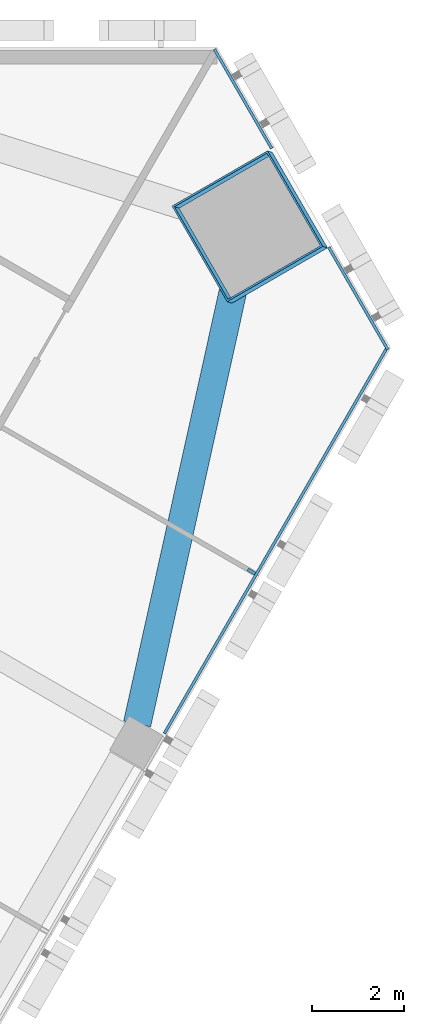
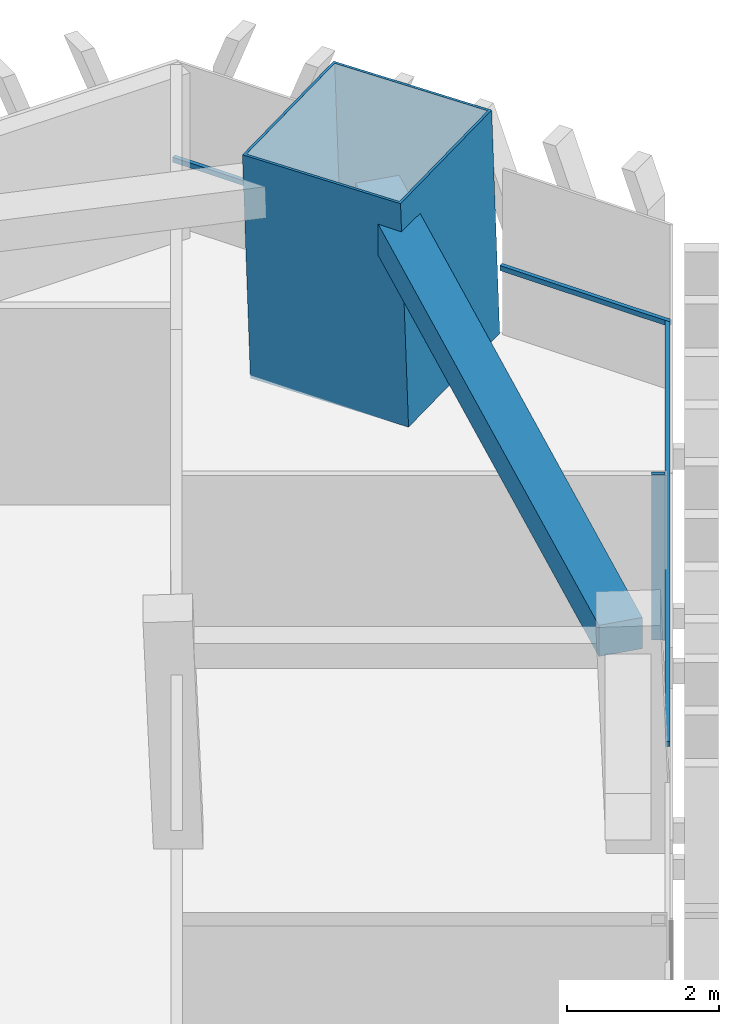
# One storey, part 7 of 15: 5 members, 1 beam, 2 elements without a shape of their own.
"""IFC4 building model written with IfcOpenShell, lengths in metres."""

from ifc_helpers import new_model, si_unit, direction, frame, origin, origin_2d, place, context, subcontext, project, spatial, rectangle, hollow_rectangle, extrude, material, layer, layer_set, material_profile, profile_set, type_object, element, aggregate, save


model = new_model("IFC4")

# Units and contexts
model_context = context("Model", 3, precision=1e-05, world=origin(), true_north=direction((0.0, 1.0)))
body_context = subcontext(model_context, "Body", "Model", "MODEL_VIEW")
ifc_project = project(units=[si_unit("LENGTHUNIT", "METRE"), si_unit("AREAUNIT", "SQUARE_METRE"), si_unit("VOLUMEUNIT", "CUBIC_METRE"), si_unit("PLANEANGLEUNIT", "RADIAN"), si_unit("MASSUNIT", "GRAM", prefix="KILO")], contexts=[model_context])

# Site, building, storey
site_placement = place(None, origin())
site = spatial("IfcSite", under=ifc_project, at=site_placement, CompositionType="ELEMENT")
building_placement = place(site_placement, origin())
building = spatial("IfcBuilding", under=site, at=building_placement, Name="Altiplano Prism Tower", CompositionType="ELEMENT")
storey_placement = place(building_placement, frame((0.0, 0.0, 142.199951171875)))
storey = spatial("IfcBuildingStorey", under=building, at=storey_placement, Name="L36", CompositionType="ELEMENT", Elevation=142.199951171875)

# Curtain wall, members
ifc_material_1 = material(Name="Aluminium and glass", Category="aluminium")
ifc_layer = layer(ifc_material_1, 0.280029296875)
ifc_layer_set = layer_set([ifc_layer], Name="Aluminium and glass")
curtain_wall_type = type_object("IfcCurtainWallType", Name="CW1 typical co-living unitised curtain wall", PredefinedType="NOTDEFINED", material=ifc_layer_set)
curtain_wall_1_placement = place(storey_placement, origin())
curtain_wall_1 = element("IfcCurtainWall", 1, at=curtain_wall_1_placement, inside=storey, type_object=curtain_wall_type, Name="CW1 curtain wall south-east face L36", PredefinedType="NOTDEFINED")
ifc_material_2 = material(Name="Aluminium", Category="aluminium")
ifc_material_profile_1 = material_profile(ifc_material_2, rectangle(XDim=0.179931640625, YDim=0.06494140625, at=origin_2d()), Name="CW1 mullion 65 x 180")
ifc_profile_set_1 = profile_set([ifc_material_profile_1], Name="Aluminium")
member_type_1 = type_object("IfcMemberType", Name="CW1 mullion 65 x 180", PredefinedType="MULLION", material=ifc_profile_set_1)
member_1_placement = place(storey_placement, frame((109.46240234375, 93.616943359375, 0.0), z_axis=(0.0, 0.0, 1.0), x_axis=(-0.866025403278, 0.500000000877, 0.0)))
member_1 = element("IfcMember", 2, at=member_1_placement, type_object=member_type_1, Name="CW1 mullion", PredefinedType="MULLION", context=body_context, shape_type="SweptSolid", body=[
    extrude(rectangle(XDim=0.179931640625, YDim=0.06494140625, at=origin_2d()), origin(), (0.0, 0.0, 1.0), 2.650146484375),
])
ifc_material_profile_2 = material_profile(ifc_material_2, rectangle(XDim=0.06005859375, YDim=0.080078125, at=origin_2d()), Name="CW1 transom 80 x 60")
ifc_profile_set_2 = profile_set([ifc_material_profile_2], Name="Aluminium")
member_type_2 = type_object("IfcMemberType", Name="CW1 transom 80 x 60", PredefinedType="USERDEFINED", material=ifc_profile_set_2)
member_2_placement = place(storey_placement, frame((107.568603515625, 90.0966796875, 1.10009765625), z_axis=(0.499983569942, 0.866034889475, 0.0), x_axis=(-0.866034889475, 0.499983569942, 0.0)))
member_2 = element("IfcMember", 3, at=member_2_placement, type_object=member_type_2, Name="CW1 transom", ObjectType="TRANSOM", PredefinedType="USERDEFINED", context=body_context, shape_type="SweptSolid", body=[
    extrude(rectangle(XDim=0.06005859375, YDim=0.080078125, at=origin_2d()), origin(), (0.0, 0.0, 1.0), 9.712158203125),
])
aggregate(curtain_wall_1, [member_1, member_2])

curtain_wall_2_placement = place(storey_placement, origin())
curtain_wall_2 = element("IfcCurtainWall", 4, at=curtain_wall_2_placement, inside=storey, type_object=curtain_wall_type, Name="CW1 curtain wall north-east chamfer L36", PredefinedType="NOTDEFINED")
member_3_placement = place(storey_placement, frame((112.424560546875, 98.437744140625, 1.10009765625), z_axis=(-0.499983011228, 0.866035212034, 0.0), x_axis=(-0.866035212034, -0.499983011228, 0.0)))
member_3 = element("IfcMember", 5, at=member_3_placement, type_object=member_type_2, Name="CW1 transom", ObjectType="TRANSOM", PredefinedType="USERDEFINED", context=body_context, shape_type="SweptSolid", body=[
    extrude(rectangle(XDim=0.06005859375, YDim=0.080078125, at=origin_2d()), origin(), (0.0, 0.0, 1.0), 2.568359375),
])
member_4_placement = place(storey_placement, frame((109.900390625, 102.809814453125, 1.10009765625), z_axis=(-0.499937591627, 0.866061432277, 0.0), x_axis=(-0.866061432277, -0.499937591627, 0.0)))
member_4 = element("IfcMember", 6, at=member_4_placement, type_object=member_type_2, Name="CW1 transom", ObjectType="TRANSOM", PredefinedType="USERDEFINED", context=body_context, shape_type="SweptSolid", body=[
    extrude(rectangle(XDim=0.06005859375, YDim=0.080078125, at=origin_2d()), origin(), (0.0, 0.0, 1.0), 2.488525390625),
])
aggregate(curtain_wall_2, [member_3, member_4])

# Beam
ifc_material_3 = material(Name="Concrete C60/75", Category="concrete")
ifc_material_profile_3 = material_profile(ifc_material_3, rectangle(XDim=0.60009765625, YDim=0.5, at=origin_2d()), Name="Edge beam 600x500")
ifc_profile_set_3 = profile_set([ifc_material_profile_3], Name="Concrete C60/75")
beam_type = type_object("IfcBeamType", Name="Edge beam 600x500", PredefinedType="SPANDREL", material=ifc_profile_set_3)
beam_placement = place(storey_placement, frame((106.9775390625, 90.306396484375, 2.900146484375), z_axis=(0.216280841471, 0.976331192584, 0.0), x_axis=(-0.976331192584, 0.216280841471, 0.0)))
element("IfcBeam", 7, at=beam_placement, inside=storey, type_object=beam_type, Name="Edge beam P24-M2 L37", PredefinedType="SPANDREL", context=body_context, shape_type="SweptSolid", body=[
    extrude(rectangle(XDim=0.60009765625, YDim=0.5, at=origin_2d()), origin(), (0.0, 0.0, 1.0), 10.62548828125),
])

# Member
ifc_material_4 = material(Name="Steel S460", Category="steel")
ifc_material_profile_4 = material_profile(ifc_material_4, hollow_rectangle(XDim=2.39990234375, YDim=2.39990234375, WallThickness=0.0400390625, at=origin_2d()), Name="Mega column tube 2400")
ifc_profile_set_4 = profile_set([ifc_material_profile_4], Name="Steel S460")
member_type_3 = type_object("IfcMemberType", Name="Mega column tube 2400", PredefinedType="POST", material=ifc_profile_set_4)
member_5_placement = place(storey_placement, frame((109.47509765625, 101.08642578125, 0.0), z_axis=(-0.028334084323, 0.009218745139, 0.999555998633), x_axis=(0.500161104272, -0.865648734423, 0.022161641765)))
element("IfcMember", 8, at=member_5_placement, inside=storey, type_object=member_type_3, Name="Mega column tube M2 L36", PredefinedType="POST", context=body_context, shape_type="SweptSolid", body=[
    extrude(hollow_rectangle(XDim=2.39990234375, YDim=2.39990234375, WallThickness=0.0400390625, at=origin_2d()), origin(), (0.0, 0.0, 1.0), 3.601806640625),
])

save(model, "model.ifc")
